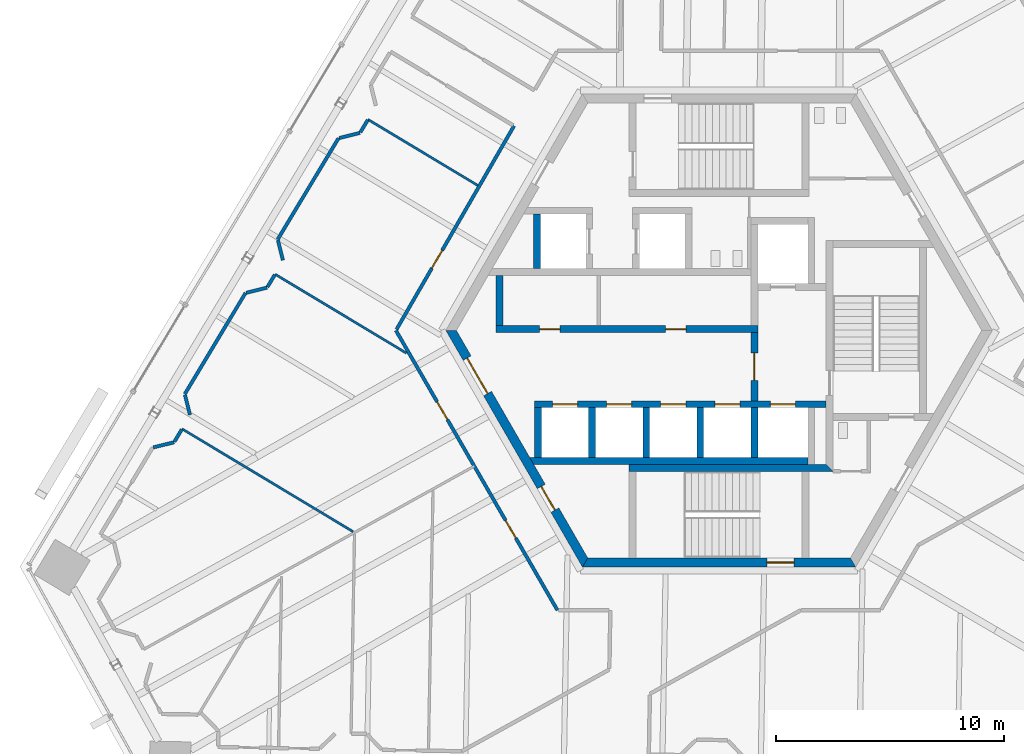
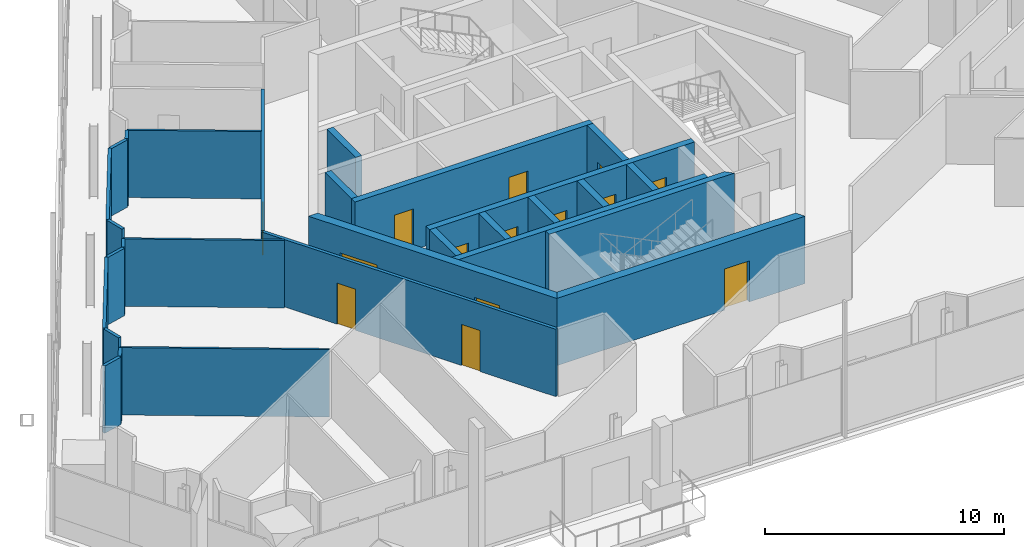
# One storey, part 12 of 22: 29 walls, 14 doors, 14 openings.
"""IFC4 building model written with IfcOpenShell, lengths in metres."""

from ifc_helpers import new_model, si_unit, direction, frame, frame_2d, origin, place, context, subcontext, project, spatial, polyline, rectangle, outline, extrude, source, transform, mapped, material, layer, layer_set, type_object, element, fill, save


model = new_model("IFC4")

# Units and contexts
model_context = context("Model", 3, precision=1e-05, world=origin(), true_north=direction((0.0, 1.0)))
body_context = subcontext(model_context, "Body", "Model", "MODEL_VIEW")
ifc_project = project(units=[si_unit("LENGTHUNIT", "METRE"), si_unit("AREAUNIT", "SQUARE_METRE"), si_unit("VOLUMEUNIT", "CUBIC_METRE"), si_unit("PLANEANGLEUNIT", "RADIAN"), si_unit("MASSUNIT", "GRAM", prefix="KILO")], contexts=[model_context])

# Site, building, storey
site_placement = place(None, origin())
site = spatial("IfcSite", under=ifc_project, at=site_placement, CompositionType="ELEMENT")
building_placement = place(site_placement, origin())
building = spatial("IfcBuilding", under=site, at=building_placement, Name="Triune Harvest Tower", CompositionType="ELEMENT")
storey_placement = place(building_placement, frame((0.0, 0.0, 208.699951171875)))
storey = spatial("IfcBuildingStorey", under=building, at=storey_placement, Name="L54", CompositionType="ELEMENT", Elevation=208.699951171875)

# Wall, opening, door
ifc_material_1 = material(Name="Gypsum board on steel studs", Category="steel")
ifc_layer_1 = layer(ifc_material_1, 0.14990234375)
ifc_layer_set_1 = layer_set([ifc_layer_1], Name="Gypsum board on steel studs")
wall_type_1 = type_object("IfcWallType", Name="Fire Partition 150 mm", PredefinedType="PARTITIONING", material=ifc_layer_set_1)
wall_1_placement = place(storey_placement, frame((-14.1689453125, 0.043212890625, 0.0), z_axis=(0.0, 0.0, 1.0), x_axis=(0.499996707709, 0.866027304581, 0.0)))
wall_1 = element("IfcWall", 1, at=wall_1_placement, inside=storey, type_object=wall_type_1, Name="Partition L54 120", PredefinedType="PARTITIONING", context=body_context, shape_type="SweptSolid", body=[
    extrude(rectangle(XDim=10.32568359375, YDim=0.14990234375, at=frame_2d((5.162841796875, 0.0))), origin(), (0.0, 0.0, 1.0), 3.43994140625),
])
opening_1_placement = place(wall_1_placement, frame((3.11181640625, 0.0, 0.0)))
opening_1 = element("IfcOpeningElement", 2, at=opening_1_placement, cuts=wall_1, Name="Opening L54-015", PredefinedType="OPENING", context=body_context, shape_type="SweptSolid", body=[
    extrude(rectangle(XDim=0.89990234375, YDim=2.10009765625, at=frame_2d((0.449951171875, 1.050048828125))), frame((0.0, 0.0849609375, 0.0), z_axis=(0.0, -1.0, 0.0), x_axis=(1.0, 0.0, 0.0)), (0.0, 0.0, 1.0), 0.169921875),
])
ifc_material_2 = material(Name="Timber and steel door set", Category="steel")
door_type_1 = type_object("IfcDoorType", Name="Single leaf door FD30 left hand 900 x 2100", OperationType="SINGLE_SWING_LEFT", PredefinedType="DOOR", material=ifc_material_2)
door_1_placement = place(opening_1_placement, origin())
door_1 = element("IfcDoor", 3, at=door_1_placement, inside=storey, type_object=door_type_1, Name="Door L54-015 Project Room 54.15", OperationType="SINGLE_SWING_LEFT", OverallHeight=2.10009765625, OverallWidth=0.89990234375, PredefinedType="DOOR", context=body_context, shape_type="SweptSolid", body=[
    extrude(rectangle(XDim=0.89990234375, YDim=2.10009765625, at=frame_2d((0.449951171875, 1.050048828125))), frame((0.0, 0.02490234375, 0.0), z_axis=(0.0, -1.0, 0.0), x_axis=(1.0, 0.0, 0.0)), (0.0, 0.0, 1.0), 0.050048828125),
])
fill(opening_1, door_1)

# Walls
ifc_material_3 = material(Name="Gypsum board on steel studs", Category="steel")
ifc_layer_2 = layer(ifc_material_3, 0.10009765625)
ifc_layer_set_2 = layer_set([ifc_layer_2], Name="Gypsum board on steel studs")
wall_type_2 = type_object("IfcWallType", Name="Partition 100 mm", PredefinedType="PARTITIONING", material=ifc_layer_set_2)
wall_2_placement = place(storey_placement, frame((-23.584716796875, -4.3251953125, 0.0), z_axis=(0.0, 0.0, 1.0), x_axis=(0.857170790958, -0.515032266104, 0.0)))
element("IfcWall", 4, at=wall_2_placement, inside=storey, type_object=wall_type_2, Name="Partition L54 036", PredefinedType="PARTITIONING", context=body_context, shape_type="SweptSolid", body=[
    extrude(rectangle(XDim=8.764892578125, YDim=0.10009765625, at=frame_2d((4.38232421875, 0.0))), origin(), (0.0, 0.0, 1.0), 3.43994140625),
])
wall_3_placement = place(storey_placement, frame((-19.501708984375, 2.4697265625, 0.0), z_axis=(0.0, 0.0, 1.0), x_axis=(0.85717289151, -0.515028770128, 0.0)))
element("IfcWall", 5, at=wall_3_placement, inside=storey, type_object=wall_type_2, Name="Partition L54 037", PredefinedType="PARTITIONING", context=body_context, shape_type="SweptSolid", body=[
    extrude(rectangle(XDim=6.734619140625, YDim=0.10009765625, at=frame_2d((3.3671875, 0.0))), origin(), (0.0, 0.0, 1.0), 3.43994140625),
])
wall_4_placement = place(storey_placement, frame((-15.418701171875, 9.26513671875, 0.0), z_axis=(0.0, 0.0, 1.0), x_axis=(0.85716010586, -0.515050048949, 0.0)))
element("IfcWall", 6, at=wall_4_placement, inside=storey, type_object=wall_type_2, Name="Partition L54 038", PredefinedType="PARTITIONING", context=body_context, shape_type="SweptSolid", body=[
    extrude(rectangle(XDim=5.634033203125, YDim=0.10009765625, at=frame_2d((2.81689453125, 0.0))), origin(), (0.0, 0.0, 1.0), 3.43994140625),
])

# Wall, openings, doors
ifc_material_4 = material(Name="Concrete 70 MPa", Category="concrete")
ifc_layer_3 = layer(ifc_material_4, 0.39990234375)
ifc_layer_set_3 = layer_set([ifc_layer_3], Name="Concrete 70 MPa")
wall_type_3 = type_object("IfcWallType", Name="Core wall 400", PredefinedType="SHEAR", material=ifc_layer_set_3)
shared_shape_1 = source(origin(), body_context, "Body", "SweptSolid", [
    extrude(outline(polyline([(-0.115478515625, -0.199951171875), (11.884521484375, -0.199951171875), (11.653564453125, 0.199951171875), (0.115478515625, 0.199951171875), (-0.115478515625, -0.199951171875)])), origin(), (0.0, 0.0, 1.0), 3.43994140625),
])
wall_5_placement = place(storey_placement, frame((-11.76904296875, 0.0, 0.0), z_axis=(0.0, 0.0, 1.0), x_axis=(0.499996592174, -0.866027371285, 0.0)))
wall_5 = element("IfcWall", 7, at=wall_5_placement, inside=storey, type_object=wall_type_3, Name="Hexagon 3 wall", PredefinedType="SHEAR", context=body_context, shape_type="MappedRepresentation", body=[
    mapped(shared_shape_1, transform((0.0, 0.0, 0.0), scale=1.0)),
])
opening_2_placement = place(wall_5_placement, frame((1.404541015625, 0.0, 0.0)))
opening_2 = element("IfcOpeningElement", 8, at=opening_2_placement, cuts=wall_5, Name="Opening CD-LS", PredefinedType="OPENING", context=body_context, shape_type="SweptSolid", body=[
    extrude(rectangle(XDim=1.800048828125, YDim=2.10009765625, at=frame_2d((0.89990234375, 1.050048828125))), frame((0.0, 0.2099609375, 0.0), z_axis=(0.0, -1.0, 0.0), x_axis=(1.0, 0.0, 0.0)), (0.0, 0.0, 1.0), 0.419921875),
])
opening_3_placement = place(wall_5_placement, frame((7.91455078125, 0.0, 0.0)))
opening_3 = element("IfcOpeningElement", 9, at=opening_3_placement, cuts=wall_5, Name="Opening CD-SWP", PredefinedType="OPENING", context=body_context, shape_type="SweptSolid", body=[
    extrude(rectangle(XDim=1.199951171875, YDim=2.10009765625, at=frame_2d((0.60009765625, 1.050048828125))), frame((0.0, 0.2099609375, 0.0), z_axis=(0.0, -1.0, 0.0), x_axis=(1.0, 0.0, 0.0)), (0.0, 0.0, 1.0), 0.419921875),
])
ifc_material_5 = material(Name="Steel S235", Category="steel")
door_type_2 = type_object("IfcDoorType", Name="Lobby door 1800 FD120", OperationType="DOUBLE_DOOR_DOUBLE_SWING", PredefinedType="DOOR", material=ifc_material_5)
door_2_placement = place(opening_2_placement, frame((1.800048828125, 0.0, 0.0), z_axis=(0.0, 0.0, 1.0), x_axis=(-1.0, 0.0, 0.0)))
door_2 = element("IfcDoor", 10, at=door_2_placement, inside=storey, type_object=door_type_2, Name="Door CD-LS", OperationType="DOUBLE_DOOR_DOUBLE_SWING", OverallHeight=2.10009765625, OverallWidth=1.800048828125, PredefinedType="DOOR", context=body_context, shape_type="SweptSolid", body=[
    extrude(rectangle(XDim=1.800048828125, YDim=2.10009765625, at=frame_2d((0.89990234375, 1.050048828125))), frame((0.0, 0.02490234375, 0.0), z_axis=(0.0, -1.0, 0.0), x_axis=(1.0, 0.0, 0.0)), (0.0, 0.0, 1.0), 0.050048828125),
])
fill(opening_2, door_2)
ifc_material_6 = material(Name="Steel S235", Category="steel")
door_type_3 = type_object("IfcDoorType", Name="Service door 1200 FD120", OperationType="SINGLE_SWING_LEFT", PredefinedType="DOOR", material=ifc_material_6)
door_3_placement = place(opening_3_placement, frame((1.199951171875, 0.0, 0.0), z_axis=(0.0, 0.0, 1.0), x_axis=(-1.0, 0.0, 0.0)))
door_3 = element("IfcDoor", 11, at=door_3_placement, inside=storey, type_object=door_type_3, Name="Door CD-SWP", OperationType="SINGLE_SWING_RIGHT", OverallHeight=2.10009765625, OverallWidth=1.199951171875, PredefinedType="DOOR", context=body_context, shape_type="SweptSolid", body=[
    extrude(rectangle(XDim=1.199951171875, YDim=2.10009765625, at=frame_2d((0.60009765625, 1.050048828125))), frame((0.0, 0.02490234375, 0.0), z_axis=(0.0, -1.0, 0.0), x_axis=(1.0, 0.0, 0.0)), (0.0, 0.0, 1.0), 0.050048828125),
])
fill(opening_3, door_3)

# Wall, opening, door
wall_6_placement = place(storey_placement, frame((-5.884521484375, -10.1923828125, 0.0), z_axis=(0.0, 0.0, 1.0), x_axis=(1.0, 0.0, 0.0)))
wall_6 = element("IfcWall", 12, at=wall_6_placement, inside=storey, type_object=wall_type_3, Name="Hexagon 4 wall", PredefinedType="SHEAR", context=body_context, shape_type="MappedRepresentation", body=[
    mapped(shared_shape_1, transform((0.0, 0.0, 0.0), scale=1.0)),
])
opening_4_placement = place(wall_6_placement, frame((7.984619140625, 0.0, 0.0)))
opening_4 = element("IfcOpeningElement", 13, at=opening_4_placement, cuts=wall_6, Name="Opening CD-S2P", PredefinedType="OPENING", context=body_context, shape_type="SweptSolid", body=[
    extrude(rectangle(XDim=1.199951171875, YDim=2.10009765625, at=frame_2d((0.60009765625, 1.050048828125))), frame((0.0, 0.2099609375, 0.0), z_axis=(0.0, -1.0, 0.0), x_axis=(1.0, 0.0, 0.0)), (0.0, 0.0, 1.0), 0.419921875),
])
ifc_material_7 = material(Name="Steel S235", Category="steel")
door_type_4 = type_object("IfcDoorType", Name="Stair door 1200 FD120", OperationType="SINGLE_SWING_LEFT", PredefinedType="DOOR", material=ifc_material_7)
door_4_placement = place(opening_4_placement, frame((1.199951171875, 0.0, 0.0), z_axis=(0.0, 0.0, 1.0), x_axis=(-1.0, 0.0, 0.0)))
door_4 = element("IfcDoor", 14, at=door_4_placement, inside=storey, type_object=door_type_4, Name="Door CD-S2P", OperationType="SINGLE_SWING_RIGHT", OverallHeight=2.10009765625, OverallWidth=1.199951171875, PredefinedType="DOOR", context=body_context, shape_type="SweptSolid", body=[
    extrude(rectangle(XDim=1.199951171875, YDim=2.10009765625, at=frame_2d((0.60009765625, 1.050048828125))), frame((0.0, 0.02490234375, 0.0), z_axis=(0.0, -1.0, 0.0), x_axis=(1.0, 0.0, 0.0)), (0.0, 0.0, 1.0), 0.050048828125),
])
fill(opening_4, door_4)

# Wall, openings, doors
ifc_material_8 = material(Name="Concrete 70 MPa", Category="concrete")
ifc_layer_4 = layer(ifc_material_8, 0.300048828125)
ifc_layer_set_4 = layer_set([ifc_layer_4], Name="Concrete 70 MPa")
wall_type_4 = type_object("IfcWallType", Name="Core wall 300", PredefinedType="SHEAR", material=ifc_layer_set_4)
shared_shape_2 = source(origin(), body_context, "Body", "SweptSolid", [
    extrude(rectangle(XDim=11.5, YDim=0.300048828125, at=frame_2d((5.75, 0.0))), origin(), (0.0, 0.0, 1.0), 3.43994140625),
])
wall_7_placement = place(storey_placement, frame((-9.800048828125, 0.06005859375, 0.0), z_axis=(0.0, 0.0, 1.0), x_axis=(1.0, 0.0, 0.0)))
wall_7 = element("IfcWall", 15, at=wall_7_placement, inside=storey, type_object=wall_type_4, Name="North front wall", PredefinedType="SHEAR", context=body_context, shape_type="MappedRepresentation", body=[
    mapped(shared_shape_2, transform((0.0, 0.0, 0.0), scale=1.0)),
])
opening_5_placement = place(wall_7_placement, frame((1.922607421875, 0.0, 0.0)))
opening_5 = element("IfcOpeningElement", 16, at=opening_5_placement, cuts=wall_7, Name="Opening CD-RN1", PredefinedType="OPENING", context=body_context, shape_type="SweptSolid", body=[
    extrude(rectangle(XDim=0.89990234375, YDim=2.10009765625, at=frame_2d((0.449951171875, 1.050048828125))), frame((0.0, 0.16015625, 0.0), z_axis=(0.0, -1.0, 0.0), x_axis=(1.0, 0.0, 0.0)), (0.0, 0.0, 1.0), 0.320068359375),
])
opening_6_placement = place(wall_7_placement, frame((7.447509765625, 0.0, 0.0)))
opening_6 = element("IfcOpeningElement", 17, at=opening_6_placement, cuts=wall_7, Name="Opening CD-RN2", PredefinedType="OPENING", context=body_context, shape_type="SweptSolid", body=[
    extrude(rectangle(XDim=0.89990234375, YDim=2.10009765625, at=frame_2d((0.449951171875, 1.050048828125))), frame((0.0, 0.16015625, 0.0), z_axis=(0.0, -1.0, 0.0), x_axis=(1.0, 0.0, 0.0)), (0.0, 0.0, 1.0), 0.320068359375),
])
ifc_material_9 = material(Name="Steel S235", Category="steel")
door_type_5 = type_object("IfcDoorType", Name="Riser door 900 FD120", OperationType="SINGLE_SWING_LEFT", PredefinedType="DOOR", material=ifc_material_9)
door_5_placement = place(opening_5_placement, frame((0.89990234375, 0.0, 0.0), z_axis=(0.0, 0.0, 1.0), x_axis=(-1.0, 0.0, 0.0)))
door_5 = element("IfcDoor", 18, at=door_5_placement, inside=storey, type_object=door_type_5, Name="Door CD-RN1", OperationType="SINGLE_SWING_RIGHT", OverallHeight=2.10009765625, OverallWidth=0.89990234375, PredefinedType="DOOR", context=body_context, shape_type="SweptSolid", body=[
    extrude(rectangle(XDim=0.89990234375, YDim=2.10009765625, at=frame_2d((0.449951171875, 1.050048828125))), frame((0.0, 0.02490234375, 0.0), z_axis=(0.0, -1.0, 0.0), x_axis=(1.0, 0.0, 0.0)), (0.0, 0.0, 1.0), 0.050048828125),
])
fill(opening_5, door_5)
door_6_placement = place(opening_6_placement, frame((0.89990234375, 0.0, 0.0), z_axis=(0.0, 0.0, 1.0), x_axis=(-1.0, 0.0, 0.0)))
door_6 = element("IfcDoor", 19, at=door_6_placement, inside=storey, type_object=door_type_5, Name="Door CD-RN2", OperationType="SINGLE_SWING_RIGHT", OverallHeight=2.10009765625, OverallWidth=0.89990234375, PredefinedType="DOOR", context=body_context, shape_type="SweptSolid", body=[
    extrude(rectangle(XDim=0.89990234375, YDim=2.10009765625, at=frame_2d((0.449951171875, 1.050048828125))), frame((0.0, 0.02490234375, 0.0), z_axis=(0.0, -1.0, 0.0), x_axis=(1.0, 0.0, 0.0)), (0.0, 0.0, 1.0), 0.050048828125),
])
fill(opening_6, door_6)

# Wall, opening, door
shared_shape_3 = source(origin(), body_context, "Body", "SweptSolid", [
    extrude(rectangle(XDim=3.0, YDim=0.300048828125, at=frame_2d((1.5, 0.0))), origin(), (0.0, 0.0, 1.0), 3.43994140625),
])
wall_8_placement = place(storey_placement, frame((1.550048828125, -3.090087890625, 0.0), z_axis=(0.0, 0.0, 1.0), x_axis=(0.0, 1.0, 0.0)))
wall_8 = element("IfcWall", 20, at=wall_8_placement, inside=storey, type_object=wall_type_4, Name="Ff lobby west wall", PredefinedType="SHEAR", context=body_context, shape_type="MappedRepresentation", body=[
    mapped(shared_shape_3, transform((0.0, 0.0, 0.0), scale=1.0)),
])
opening_7_placement = place(wall_8_placement, frame((0.89990234375, 0.0, 0.0)))
opening_7 = element("IfcOpeningElement", 21, at=opening_7_placement, cuts=wall_8, Name="Opening CD-FL", PredefinedType="OPENING", context=body_context, shape_type="SweptSolid", body=[
    extrude(rectangle(XDim=1.199951171875, YDim=2.10009765625, at=frame_2d((0.60009765625, 1.050048828125))), frame((0.0, 0.16015625, 0.0), z_axis=(0.0, -1.0, 0.0), x_axis=(1.0, 0.0, 0.0)), (0.0, 0.0, 1.0), 0.320068359375),
])
ifc_material_10 = material(Name="Steel S235", Category="steel")
door_type_6 = type_object("IfcDoorType", Name="Firefighters' lobby door 1200 FD120", OperationType="SINGLE_SWING_LEFT", PredefinedType="DOOR", material=ifc_material_10)
door_7_placement = place(opening_7_placement, frame((1.199951171875, 0.0, 0.0), z_axis=(0.0, 0.0, 1.0), x_axis=(-1.0, 0.0, 0.0)))
door_7 = element("IfcDoor", 22, at=door_7_placement, inside=storey, type_object=door_type_6, Name="Door CD-FL", OperationType="SINGLE_SWING_RIGHT", OverallHeight=2.10009765625, OverallWidth=1.199951171875, PredefinedType="DOOR", context=body_context, shape_type="SweptSolid", body=[
    extrude(rectangle(XDim=1.199951171875, YDim=2.10009765625, at=frame_2d((0.60009765625, 1.050048828125))), frame((0.0, 0.02490234375, 0.0), z_axis=(0.0, -1.0, 0.0), x_axis=(1.0, 0.0, 0.0)), (0.0, 0.0, 1.0), 0.050048828125),
])
fill(opening_7, door_7)

# Wall, openings, doors
shared_shape_4 = source(origin(), body_context, "Body", "SweptSolid", [
    extrude(rectangle(XDim=12.800048828125, YDim=0.300048828125, at=frame_2d((6.39990234375, 0.0))), origin(), (0.0, 0.0, 1.0), 3.43994140625),
])
wall_9_placement = place(storey_placement, frame((-8.10009765625, -3.239990234375, 0.0), z_axis=(0.0, 0.0, 1.0), x_axis=(1.0, 0.0, 0.0)))
wall_9 = element("IfcWall", 23, at=wall_9_placement, inside=storey, type_object=wall_type_4, Name="South front wall", PredefinedType="SHEAR", context=body_context, shape_type="MappedRepresentation", body=[
    mapped(shared_shape_4, transform((0.0, 0.0, 0.0), scale=1.0)),
])
opening_8_placement = place(wall_9_placement, frame((0.78759765625, 0.0, 0.0)))
opening_8 = element("IfcOpeningElement", 24, at=opening_8_placement, cuts=wall_9, Name="Opening LD-HR1-54", PredefinedType="OPENING", context=body_context, shape_type="SweptSolid", body=[
    extrude(rectangle(XDim=1.10009765625, YDim=2.10009765625, at=frame_2d((0.550048828125, 1.050048828125))), frame((0.0, 0.16015625, 0.0), z_axis=(0.0, -1.0, 0.0), x_axis=(1.0, 0.0, 0.0)), (0.0, 0.0, 1.0), 0.320068359375),
])
opening_9_placement = place(wall_9_placement, frame((3.16259765625, 0.0, 0.0)))
opening_9 = element("IfcOpeningElement", 25, at=opening_9_placement, cuts=wall_9, Name="Opening LD-HR2-54", PredefinedType="OPENING", context=body_context, shape_type="SweptSolid", body=[
    extrude(rectangle(XDim=1.10009765625, YDim=2.10009765625, at=frame_2d((0.550048828125, 1.050048828125))), frame((0.0, 0.16015625, 0.0), z_axis=(0.0, -1.0, 0.0), x_axis=(1.0, 0.0, 0.0)), (0.0, 0.0, 1.0), 0.320068359375),
])
opening_10_placement = place(wall_9_placement, frame((5.53759765625, 0.0, 0.0)))
opening_10 = element("IfcOpeningElement", 26, at=opening_10_placement, cuts=wall_9, Name="Opening LD-HR3-54", PredefinedType="OPENING", context=body_context, shape_type="SweptSolid", body=[
    extrude(rectangle(XDim=1.10009765625, YDim=2.10009765625, at=frame_2d((0.550048828125, 1.050048828125))), frame((0.0, 0.16015625, 0.0), z_axis=(0.0, -1.0, 0.0), x_axis=(1.0, 0.0, 0.0)), (0.0, 0.0, 1.0), 0.320068359375),
])
opening_11_placement = place(wall_9_placement, frame((7.91259765625, 0.0, 0.0)))
opening_11 = element("IfcOpeningElement", 27, at=opening_11_placement, cuts=wall_9, Name="Opening LD-HR4-54", PredefinedType="OPENING", context=body_context, shape_type="SweptSolid", body=[
    extrude(rectangle(XDim=1.10009765625, YDim=2.10009765625, at=frame_2d((0.550048828125, 1.050048828125))), frame((0.0, 0.16015625, 0.0), z_axis=(0.0, -1.0, 0.0), x_axis=(1.0, 0.0, 0.0)), (0.0, 0.0, 1.0), 0.320068359375),
])
opening_12_placement = place(wall_9_placement, frame((10.35009765625, 0.0, 0.0)))
opening_12 = element("IfcOpeningElement", 28, at=opening_12_placement, cuts=wall_9, Name="Opening LD-FF2-54", PredefinedType="OPENING", context=body_context, shape_type="SweptSolid", body=[
    extrude(rectangle(XDim=1.10009765625, YDim=2.10009765625, at=frame_2d((0.550048828125, 1.050048828125))), frame((0.0, 0.16015625, 0.0), z_axis=(0.0, -1.0, 0.0), x_axis=(1.0, 0.0, 0.0)), (0.0, 0.0, 1.0), 0.320068359375),
])
ifc_material_11 = material(Name="Stainless steel AISI 304", Category="steel")
door_type_7 = type_object("IfcDoorType", Name="Landing door 1100 x 2100", OperationType="DOUBLE_DOOR_SLIDING", PredefinedType="DOOR", material=ifc_material_11)
door_8_placement = place(opening_8_placement, origin())
door_8 = element("IfcDoor", 29, at=door_8_placement, inside=storey, type_object=door_type_7, Name="Door LD-HR1-54", OperationType="DOUBLE_DOOR_SLIDING", OverallHeight=2.10009765625, OverallWidth=1.10009765625, PredefinedType="DOOR", context=body_context, shape_type="SweptSolid", body=[
    extrude(rectangle(XDim=1.10009765625, YDim=2.10009765625, at=frame_2d((0.550048828125, 1.050048828125))), frame((0.0, 0.02490234375, 0.0), z_axis=(0.0, -1.0, 0.0), x_axis=(1.0, 0.0, 0.0)), (0.0, 0.0, 1.0), 0.050048828125),
])
fill(opening_8, door_8)
door_9_placement = place(opening_9_placement, origin())
door_9 = element("IfcDoor", 30, at=door_9_placement, inside=storey, type_object=door_type_7, Name="Door LD-HR2-54", OperationType="DOUBLE_DOOR_SLIDING", OverallHeight=2.10009765625, OverallWidth=1.10009765625, PredefinedType="DOOR", context=body_context, shape_type="SweptSolid", body=[
    extrude(rectangle(XDim=1.10009765625, YDim=2.10009765625, at=frame_2d((0.550048828125, 1.050048828125))), frame((0.0, 0.02490234375, 0.0), z_axis=(0.0, -1.0, 0.0), x_axis=(1.0, 0.0, 0.0)), (0.0, 0.0, 1.0), 0.050048828125),
])
fill(opening_9, door_9)
door_10_placement = place(opening_10_placement, origin())
door_10 = element("IfcDoor", 31, at=door_10_placement, inside=storey, type_object=door_type_7, Name="Door LD-HR3-54", OperationType="DOUBLE_DOOR_SLIDING", OverallHeight=2.10009765625, OverallWidth=1.10009765625, PredefinedType="DOOR", context=body_context, shape_type="SweptSolid", body=[
    extrude(rectangle(XDim=1.10009765625, YDim=2.10009765625, at=frame_2d((0.550048828125, 1.050048828125))), frame((0.0, 0.02490234375, 0.0), z_axis=(0.0, -1.0, 0.0), x_axis=(1.0, 0.0, 0.0)), (0.0, 0.0, 1.0), 0.050048828125),
])
fill(opening_10, door_10)
door_11_placement = place(opening_11_placement, origin())
door_11 = element("IfcDoor", 32, at=door_11_placement, inside=storey, type_object=door_type_7, Name="Door LD-HR4-54", OperationType="DOUBLE_DOOR_SLIDING", OverallHeight=2.10009765625, OverallWidth=1.10009765625, PredefinedType="DOOR", context=body_context, shape_type="SweptSolid", body=[
    extrude(rectangle(XDim=1.10009765625, YDim=2.10009765625, at=frame_2d((0.550048828125, 1.050048828125))), frame((0.0, 0.02490234375, 0.0), z_axis=(0.0, -1.0, 0.0), x_axis=(1.0, 0.0, 0.0)), (0.0, 0.0, 1.0), 0.050048828125),
])
fill(opening_11, door_11)
door_12_placement = place(opening_12_placement, origin())
door_12 = element("IfcDoor", 33, at=door_12_placement, inside=storey, type_object=door_type_7, Name="Door LD-FF2-54", OperationType="DOUBLE_DOOR_SLIDING", OverallHeight=2.10009765625, OverallWidth=1.10009765625, PredefinedType="DOOR", context=body_context, shape_type="SweptSolid", body=[
    extrude(rectangle(XDim=1.10009765625, YDim=2.10009765625, at=frame_2d((0.550048828125, 1.050048828125))), frame((0.0, 0.02490234375, 0.0), z_axis=(0.0, -1.0, 0.0), x_axis=(1.0, 0.0, 0.0)), (0.0, 0.0, 1.0), 0.050048828125),
])
fill(opening_12, door_12)

# Walls
shared_shape_5 = source(origin(), body_context, "Body", "SweptSolid", [
    extrude(outline(polyline([(12.0, -0.14990234375), (-0.039794921875, -0.14990234375), (-0.212890625, 0.14990234375), (12.0, 0.14990234375), (12.0, -0.14990234375)])), origin(), (0.0, 0.0, 1.0), 3.43994140625),
])
wall_10_placement = place(storey_placement, frame((-8.10009765625, -5.739990234375, 0.0), z_axis=(0.0, 0.0, 1.0), x_axis=(1.0, 0.0, 0.0)))
element("IfcWall", 34, at=wall_10_placement, inside=storey, type_object=wall_type_4, Name="South back wall", PredefinedType="SHEAR", context=body_context, shape_type="MappedRepresentation", body=[
    mapped(shared_shape_5, transform((0.0, 0.0, 0.0), scale=1.0)),
])
shared_shape_6 = source(origin(), body_context, "Body", "SweptSolid", [
    extrude(rectangle(XDim=2.2001953125, YDim=0.300048828125, at=frame_2d((1.10009765625, 0.0))), origin(), (0.0, 0.0, 1.0), 3.43994140625),
])
for number, where, z_axis, x_axis, name in (
    (35, (-7.949951171875, -5.590087890625, 0.0), (0.0, 0.0, 1.0), (0.0, 1.0, 0.0), "South end west wall"),
    (36, (1.550048828125, -5.590087890625, 0.0), (0.0, 0.0, 1.0), (0.0, 1.0, 0.0), "Ff2 west wall"),
    (37, (-5.574951171875, -5.590087890625, 0.0), (0.0, 0.0, 1.0), (0.0, 1.0, 0.0), "South cross 1 wall"),
    (38, (-3.199951171875, -5.590087890625, 0.0), (0.0, 0.0, 1.0), (0.0, 1.0, 0.0), "South cross 2 wall"),
    (39, (-0.824951171875, -5.590087890625, 0.0), (0.0, 0.0, 1.0), (0.0, 1.0, 0.0), "South cross 3 wall"),
):
    element("IfcWall", number, at=place(storey_placement, frame(where, z_axis=z_axis, x_axis=x_axis)), inside=storey, type_object=wall_type_4, Name=name, PredefinedType="SHEAR", context=body_context, shape_type="MappedRepresentation", body=[
        mapped(shared_shape_6, transform((0.0, 0.0, 0.0), scale=1.0)),
    ])
shared_shape_7 = source(origin(), body_context, "Body", "SweptSolid", [
    extrude(rectangle(XDim=2.199951171875, YDim=0.300048828125, at=frame_2d((1.10009765625, 0.0))), origin(), (0.0, 0.0, 1.0), 3.43994140625),
])
wall_11_placement = place(storey_placement, frame((-9.64990234375, 0.2099609375, 0.0), z_axis=(0.0, 0.0, 1.0), x_axis=(0.0, 1.0, 0.0)))
element("IfcWall", 40, at=wall_11_placement, inside=storey, type_object=wall_type_4, Name="North end west wall", PredefinedType="SHEAR", context=body_context, shape_type="MappedRepresentation", body=[
    mapped(shared_shape_7, transform((0.0, 0.0, 0.0), scale=1.0)),
])
shared_shape_8 = source(origin(), body_context, "Body", "SweptSolid", [
    extrude(outline(polyline([(0.0, -0.14990234375), (8.949951171875, -0.14990234375), (8.64990234375, 0.14990234375), (0.0, 0.14990234375), (0.0, -0.14990234375)])), origin(), (0.0, 0.0, 1.0), 3.43994140625),
])
wall_12_placement = place(storey_placement, frame((-3.949951171875, -6.0400390625, 0.0), z_axis=(0.0, 0.0, 1.0), x_axis=(1.0, 0.0, 0.0)))
element("IfcWall", 41, at=wall_12_placement, inside=storey, type_object=wall_type_4, Name="Stair s north wall", PredefinedType="SHEAR", context=body_context, shape_type="MappedRepresentation", body=[
    mapped(shared_shape_8, transform((0.0, 0.0, 0.0), scale=1.0)),
])
shared_shape_9 = source(origin(), body_context, "Body", "SweptSolid", [
    extrude(rectangle(XDim=2.400146484375, YDim=0.300048828125, at=frame_2d((1.2001953125, 0.0))), origin(), (0.0, 0.0, 1.0), 3.43994140625),
])
wall_13_placement = place(storey_placement, frame((-8.0, 2.7099609375, 0.0), z_axis=(0.0, 0.0, 1.0), x_axis=(0.0, 1.0, 0.0)))
element("IfcWall", 42, at=wall_13_placement, inside=storey, type_object=wall_type_4, Name="Sv1 west wall", PredefinedType="SHEAR", context=body_context, shape_type="MappedRepresentation", body=[
    mapped(shared_shape_9, transform((0.0, 0.0, 0.0), scale=1.0)),
])

# Wall, openings, doors
shared_shape_10 = source(origin(), body_context, "Body", "SweptSolid", [
    extrude(rectangle(XDim=14.19384765625, YDim=0.14990234375, at=frame_2d((7.096923828125, 0.0))), origin(), (0.0, 0.0, 1.0), 3.43994140625),
])
wall_14_placement = place(storey_placement, frame((-14.19384765625, 0.0, 0.0), z_axis=(0.0, 0.0, 1.0), x_axis=(0.499986987217, -0.866032916588, 0.0)))
wall_14 = element("IfcWall", 43, at=wall_14_placement, inside=storey, type_object=wall_type_1, Name="Partition L54 027", PredefinedType="PARTITIONING", context=body_context, shape_type="MappedRepresentation", body=[
    mapped(shared_shape_10, transform((0.0, 0.0, 0.0), scale=1.0)),
])
opening_13_placement = place(wall_14_placement, frame((3.622314453125, 0.0, 0.0)))
opening_13 = element("IfcOpeningElement", 44, at=opening_13_placement, cuts=wall_14, Name="Opening L54-016", PredefinedType="OPENING", context=body_context, shape_type="SweptSolid", body=[
    extrude(rectangle(XDim=0.89990234375, YDim=2.10009765625, at=frame_2d((0.449951171875, 1.050048828125))), frame((0.0, 0.0849609375, 0.0), z_axis=(0.0, -1.0, 0.0), x_axis=(1.0, 0.0, 0.0)), (0.0, 0.0, 1.0), 0.169921875),
])
opening_14_placement = place(wall_14_placement, frame((9.63232421875, 0.0, 0.0)))
opening_14 = element("IfcOpeningElement", 45, at=opening_14_placement, cuts=wall_14, Name="Opening L54-022", PredefinedType="OPENING", context=body_context, shape_type="SweptSolid", body=[
    extrude(rectangle(XDim=0.89990234375, YDim=2.10009765625, at=frame_2d((0.449951171875, 1.050048828125))), frame((0.0, 0.0849609375, 0.0), z_axis=(0.0, -1.0, 0.0), x_axis=(1.0, 0.0, 0.0)), (0.0, 0.0, 1.0), 0.169921875),
])
door_13_placement = place(opening_14_placement, origin())
door_13 = element("IfcDoor", 46, at=door_13_placement, inside=storey, type_object=door_type_1, Name="Door L54-022 Office 54.22", OperationType="SINGLE_SWING_LEFT", OverallHeight=2.10009765625, OverallWidth=0.89990234375, PredefinedType="DOOR", context=body_context, shape_type="SweptSolid", body=[
    extrude(rectangle(XDim=0.89990234375, YDim=2.10009765625, at=frame_2d((0.449951171875, 1.050048828125))), frame((0.0, 0.02490234375, 0.0), z_axis=(0.0, -1.0, 0.0), x_axis=(1.0, 0.0, 0.0)), (0.0, 0.0, 1.0), 0.050048828125),
])
fill(opening_14, door_13)
ifc_material_12 = material(Name="Timber and steel door set", Category="steel")
door_type_8 = type_object("IfcDoorType", Name="Single leaf door FD30 right hand 900 x 2100", OperationType="SINGLE_SWING_RIGHT", PredefinedType="DOOR", material=ifc_material_12)
door_14_placement = place(opening_13_placement, origin())
door_14 = element("IfcDoor", 47, at=door_14_placement, inside=storey, type_object=door_type_8, Name="Door L54-016 Office 54.16", OperationType="SINGLE_SWING_RIGHT", OverallHeight=2.10009765625, OverallWidth=0.89990234375, PredefinedType="DOOR", context=body_context, shape_type="SweptSolid", body=[
    extrude(rectangle(XDim=0.89990234375, YDim=2.10009765625, at=frame_2d((0.449951171875, 1.050048828125))), frame((0.0, 0.02490234375, 0.0), z_axis=(0.0, -1.0, 0.0), x_axis=(1.0, 0.0, 0.0)), (0.0, 0.0, 1.0), 0.050048828125),
])
fill(opening_13, door_14)

# Walls
shared_shape_11 = source(origin(), body_context, "Body", "SweptSolid", [
    extrude(rectangle(XDim=0.9140625, YDim=0.14990234375, at=frame_2d((0.45703125, 0.0))), origin(), (0.0, 0.0, 1.0), 3.43994140625),
])
for number, where, z_axis, x_axis, name in (
    (48, (-23.46044921875, -2.822509765625, 0.0), (0.0, 0.0, 1.0), (0.241718550758, -0.970346403208, 0.0), "Partition L54 002"),
    (49, (-19.377685546875, 3.972412109375, 0.0), (0.0, 0.0, 1.0), (0.241970013086, -0.970283727972, 0.0), "Partition L54 003"),
):
    element("IfcWall", number, at=place(storey_placement, frame(where, z_axis=z_axis, x_axis=x_axis)), inside=storey, type_object=wall_type_1, Name=name, PredefinedType="PARTITIONING", context=body_context, shape_type="MappedRepresentation", body=[
        mapped(shared_shape_11, transform((0.0, 0.0, 0.0), scale=1.0)),
    ])
shared_shape_12 = source(origin(), body_context, "Body", "SweptSolid", [
    extrude(rectangle(XDim=0.630126953125, YDim=0.14990234375, at=frame_2d((0.31494140625, 0.0))), origin(), (0.0, 0.0, 1.0), 3.43994140625),
])
for number, where, z_axis, x_axis, name in (
    (50, (-23.921875, -4.88671875, 0.0), (0.0, 0.0, 1.0), (0.515008552008, 0.857185039159, 0.0), "Partition L54 106"),
    (51, (-19.839111328125, 1.908203125, 0.0), (0.0, 0.0, 1.0), (0.515008552008, 0.857185039159, 0.0), "Partition L54 107"),
):
    element("IfcWall", number, at=place(storey_placement, frame(where, z_axis=z_axis, x_axis=x_axis)), inside=storey, type_object=wall_type_1, Name=name, PredefinedType="PARTITIONING", context=body_context, shape_type="MappedRepresentation", body=[
        mapped(shared_shape_12, transform((0.0, 0.0, 0.0), scale=1.0)),
    ])
shared_shape_13 = source(origin(), body_context, "Body", "SweptSolid", [
    extrude(rectangle(XDim=5.1806640625, YDim=0.14990234375, at=frame_2d((2.59033203125, 0.0))), origin(), (0.0, 0.0, 1.0), 3.43994140625),
])
wall_15_placement = place(storey_placement, frame((-19.385009765625, 4.001220703125, 0.0), z_axis=(0.0, 0.0, 1.0), x_axis=(0.515036212107, 0.857168419984, 0.0)))
element("IfcWall", 52, at=wall_15_placement, inside=storey, type_object=wall_type_1, Name="Partition L54 113", PredefinedType="PARTITIONING", context=body_context, shape_type="MappedRepresentation", body=[
    mapped(shared_shape_13, transform((0.0, 0.0, 0.0), scale=1.0)),
])
shared_shape_14 = source(origin(), body_context, "Body", "SweptSolid", [
    extrude(rectangle(XDim=5.180419921875, YDim=0.14990234375, at=frame_2d((2.59033203125, 0.0))), origin(), (0.0, 0.0, 1.0), 3.43994140625),
])
wall_16_placement = place(storey_placement, frame((-23.467529296875, -2.793701171875, 0.0), z_axis=(0.0, 0.0, 1.0), x_axis=(0.515001585856, 0.857189224481, 0.0)))
element("IfcWall", 53, at=wall_16_placement, inside=storey, type_object=wall_type_1, Name="Partition L54 112", PredefinedType="PARTITIONING", context=body_context, shape_type="MappedRepresentation", body=[
    mapped(shared_shape_14, transform((0.0, 0.0, 0.0), scale=1.0)),
])
shared_shape_15 = source(origin(), body_context, "Body", "SweptSolid", [
    extrude(rectangle(XDim=0.944091796875, YDim=0.14990234375, at=frame_2d((0.47216796875, 0.0))), origin(), (0.0, 0.0, 1.0), 3.43994140625),
])
for number, where, z_axis, x_axis, name in (
    (54, (-24.853271484375, -5.140380859375, 0.0), (0.0, 0.0, 1.0), (0.970324777347, 0.241805348299, 0.0), "Partition L54 076"),
    (55, (-20.7705078125, 1.654541015625, 0.0), (0.0, 0.0, 1.0), (0.970324777347, 0.241805348299, 0.0), "Partition L54 077"),
    (56, (-16.6875, 8.449462890625, 0.0), (0.0, 0.0, 1.0), (0.970264071749, 0.242048819605, 0.0), "Partition L54 078"),
):
    element("IfcWall", number, at=place(storey_placement, frame(where, z_axis=z_axis, x_axis=x_axis)), inside=storey, type_object=wall_type_1, Name=name, PredefinedType="PARTITIONING", context=body_context, shape_type="MappedRepresentation", body=[
        mapped(shared_shape_15, transform((0.0, 0.0, 0.0), scale=1.0)),
    ])
shared_shape_16 = source(origin(), body_context, "Body", "SweptSolid", [
    extrude(rectangle(XDim=0.6298828125, YDim=0.14990234375, at=frame_2d((0.31494140625, 0.0))), origin(), (0.0, 0.0, 1.0), 3.43994140625),
])
wall_17_placement = place(storey_placement, frame((-15.75634765625, 8.703369140625, 0.0), z_axis=(0.0, 0.0, 1.0), x_axis=(0.515179670409, 0.857082205624, 0.0)))
element("IfcWall", 57, at=wall_17_placement, inside=storey, type_object=wall_type_1, Name="Partition L54 108", PredefinedType="PARTITIONING", context=body_context, shape_type="MappedRepresentation", body=[
    mapped(shared_shape_16, transform((0.0, 0.0, 0.0), scale=1.0)),
])

save(model, "model.ifc")
